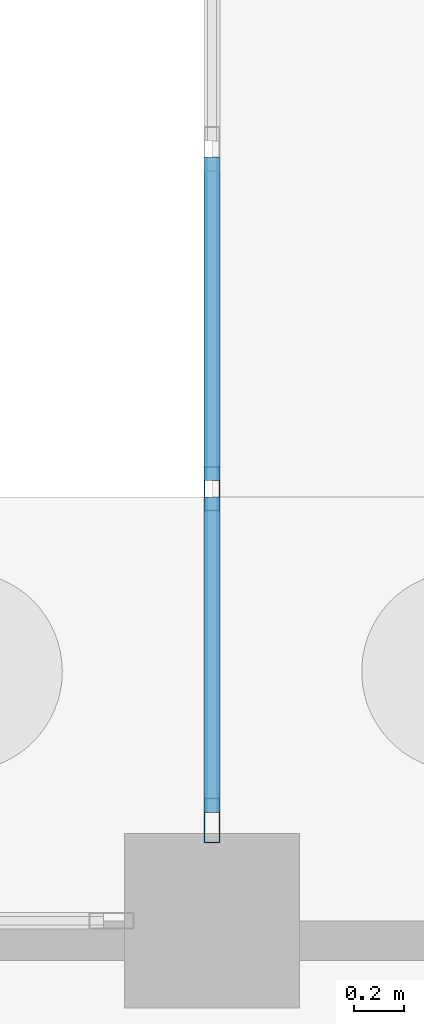
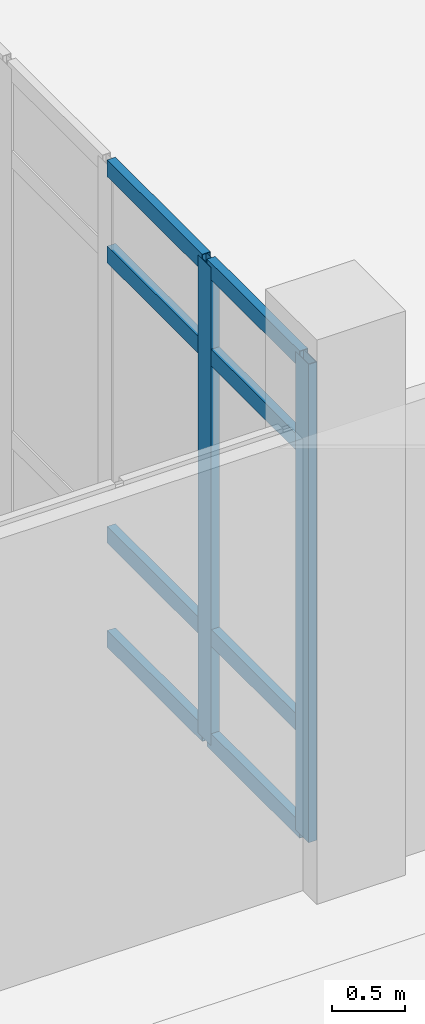
# One storey, part 40 of 173: 10 members, 1 element without a shape of its own.
"""IFC4 building model written with IfcOpenShell, lengths in metres."""

import ifcopenshell
import ifcopenshell.guid

model = None  # the IFC model being written
_history = None  # IfcOwnerHistory: only IFC2X3 demands one
_inside = {}  # id of a spatial element -> (the spatial element, [elements in it])
_under = {}  # id of a project, library or spatial element -> (it, [spatial elements below it])
_declared = {}  # id of a project -> (the project, [libraries it declares])
_typed = {}  # id of a type object -> (the type object, [elements of that type])
_made_of = {}  # id of a material, layer set ... -> (it, [elements and type objects made of it])


def new_model(schema):
    """Start an empty IFC model of exactly this schema.

    Asked for "IFC4X3", IfcOpenShell would pick the latest addendum, in which some entities
    have other attributes; the version numbers below select the first issue.
    IFC2X3 requires an IfcOwnerHistory on every rooted entity: one is made here for all.
    """
    global model, _history
    if schema == "IFC4X3":
        model = ifcopenshell.file(schema_version=(4, 3, 0, 0))
    else:
        model = ifcopenshell.file(schema=schema)
    _inside.clear()
    _under.clear()
    _declared.clear()
    _typed.clear()
    _made_of.clear()
    _history = None
    if model.schema == "IFC2X3":
        org = make("IfcOrganization", Name="unknown")
        user = make(
            "IfcPersonAndOrganization",
            ThePerson=make("IfcPerson", FamilyName="unknown"),
            TheOrganization=org,
        )
        app = make(
            "IfcApplication",
            ApplicationDeveloper=org,
            Version="unknown",
            ApplicationFullName="unknown",
            ApplicationIdentifier="unknown",
        )
        _history = make(
            "IfcOwnerHistory",
            OwningUser=user,
            OwningApplication=app,
            ChangeAction="ADDED",
            CreationDate=0,
        )
    return model


def make(cls, **values):
    """One entity of the class cls with the attributes given. An attribute that is None is left unset."""
    return model.create_entity(
        cls, **{name: value for name, value in values.items() if value is not None}
    )


def rooted(cls, **values):
    """An entity with a GlobalId (a new one), such as an element, a storey or a relation."""
    return make(cls, GlobalId=ifcopenshell.guid.new(), OwnerHistory=_history, **values)


def si_unit(unit_type, name, prefix=None):
    """IfcSIUnit, for example si_unit("LENGTHUNIT", "METRE", prefix="MILLI")."""
    return make("IfcSIUnit", UnitType=unit_type, Prefix=prefix, Name=name)


def assignment(units):
    """IfcUnitAssignment: the units of a project."""
    return None if units is None else make("IfcUnitAssignment", Units=units)


def point(xyz):
    """IfcCartesianPoint."""
    return None if xyz is None else make("IfcCartesianPoint", Coordinates=xyz)


def direction(xyz):
    """IfcDirection."""
    return None if xyz is None else make("IfcDirection", DirectionRatios=xyz)


def frame(location, z_axis=None, x_axis=None):
    """IfcAxis2Placement3D, a coordinate frame: its origin and axes. An axis left out is left unset."""
    return make(
        "IfcAxis2Placement3D",
        Location=point(location),
        Axis=direction(z_axis),
        RefDirection=direction(x_axis),
    )


def frame_2d(location, x_axis=None):
    """IfcAxis2Placement2D, a coordinate frame in the plane: its origin and x axis."""
    return make(
        "IfcAxis2Placement2D", Location=point(location), RefDirection=direction(x_axis)
    )


def origin():
    """The frame at (0, 0, 0) with its axes left unset."""
    return frame((0.0, 0.0, 0.0))


def origin_2d():
    """The frame at (0, 0) in the plane with its x axis left unset."""
    return frame_2d((0.0, 0.0))


def place(relative_to, where):
    """IfcLocalPlacement: puts the frame where relative to a parent placement (None: the world)."""
    return make(
        "IfcLocalPlacement", PlacementRelTo=relative_to, RelativePlacement=where
    )


def context(
    kind, dimensions, precision=None, world=None, true_north=None, identifier=None
):
    """IfcGeometricRepresentationContext, for example the 3D "Model" context."""
    return make(
        "IfcGeometricRepresentationContext",
        ContextIdentifier=identifier,
        ContextType=kind,
        CoordinateSpaceDimension=dimensions,
        Precision=precision,
        WorldCoordinateSystem=world,
        TrueNorth=true_north,
    )


def subcontext(parent, identifier, kind, view, scale=None):
    """IfcGeometricRepresentationSubContext, for example "Body" below "Model"."""
    return make(
        "IfcGeometricRepresentationSubContext",
        ContextIdentifier=identifier,
        ContextType=kind,
        ParentContext=parent,
        TargetScale=scale,
        TargetView=view,
    )


def project(units=None, contexts=None):
    """IfcProject with its units and contexts."""
    return rooted(
        "IfcProject",
        Name="project",
        RepresentationContexts=contexts,
        UnitsInContext=assignment(units),
    )


def spatial(cls, under=None, at=None, **own):
    """A site, building, storey or space (cls), placed at a placement, below another one or the project."""
    s = rooted(cls, ObjectPlacement=at, **own)
    if under is not None:
        _under.setdefault(under.id(), (under, []))[1].append(s)
    return s


def profile(cls, at=None, kind="AREA", **sizes):
    """A parametric profile (cls). Its sizes go by their IFC names, for example OverallWidth=200.0."""
    return make(cls, ProfileType=kind, Position=at, **sizes)


def hollow_rectangle(**sizes):
    """IfcRectangleHollowProfileDef."""
    return profile("IfcRectangleHollowProfileDef", **sizes)


def extrude(swept, where, along, depth):
    """IfcExtrudedAreaSolid: the profile swept, set in the frame where, extruded along a direction by depth."""
    return make(
        "IfcExtrudedAreaSolid",
        SweptArea=swept,
        Position=where,
        ExtrudedDirection=direction(along),
        Depth=depth,
    )


def shape(context_of_items, identifier, shape_type, items):
    """IfcShapeRepresentation: the items that make up one representation, for example the "Body"."""
    return make(
        "IfcShapeRepresentation",
        ContextOfItems=context_of_items,
        RepresentationIdentifier=identifier,
        RepresentationType=shape_type,
        Items=items,
    )


def material(Name=None, Category=None):
    """IfcMaterial."""
    return make("IfcMaterial", Name=Name, Category=Category)


def layer(
    of_material, thickness, ventilated=None, Name=None, Category=None, Priority=None
):
    """IfcMaterialLayer: one layer of a wall or slab, of a material (None: an air gap)."""
    return make(
        "IfcMaterialLayer",
        Material=of_material,
        LayerThickness=thickness,
        IsVentilated=ventilated,
        Name=Name,
        Category=Category,
        Priority=Priority,
    )


def layer_set(layers, Name=None):
    """IfcMaterialLayerSet."""
    return make("IfcMaterialLayerSet", MaterialLayers=layers, LayerSetName=Name)


def material_profile(
    of_material, cross_section, Name=None, Category=None, Priority=None
):
    """IfcMaterialProfile: a cross section and its material."""
    return make(
        "IfcMaterialProfile",
        Name=Name,
        Material=of_material,
        Profile=cross_section,
        Priority=Priority,
        Category=Category,
    )


def profile_set(profiles, Name=None, composite=None):
    """IfcMaterialProfileSet."""
    return make(
        "IfcMaterialProfileSet",
        Name=Name,
        MaterialProfiles=profiles,
        CompositeProfile=composite,
    )


def made_of(thing, what):
    """Note that an element or type object is made of a material, layer set ...; save() writes the relation."""
    if what is not None:
        _made_of.setdefault(what.id(), (what, []))[1].append(thing)
    return thing


def type_object(cls, material=None, **own):
    """A type object (cls), such as IfcWallType, which elements share."""
    return made_of(rooted(cls, **own), material)


def element(
    cls,
    number,
    at=None,
    inside=None,
    cuts=None,
    type_object=None,
    material=None,
    context=None,
    identifier="Body",
    shape_type=None,
    held_by="IfcProductDefinitionShape",
    body=None,
    shapes=None,
    **own,
):
    """One element of the class cls, such as IfcWall. Its Tag is "e" and its number.

    at: its placement. inside: the storey or other place that contains it. cuts: it is an
    opening in that element (IfcRelVoidsElement). A single representation is given by context,
    identifier, shape_type and body (its items); several are given by shapes. held_by: the class
    of the entity that holds the representations. save() writes the other relations.
    """
    e = rooted(cls, Tag="e%d" % number, ObjectPlacement=at, **own)
    if body is not None:
        shapes = [shape(context, identifier, shape_type, body)]
    if shapes is not None:
        e.Representation = make(held_by, Representations=shapes)
    if inside is not None:
        _inside.setdefault(inside.id(), (inside, []))[1].append(e)
    if cuts is not None:
        rooted(
            "IfcRelVoidsElement", RelatingBuildingElement=cuts, RelatedOpeningElement=e
        )
    if type_object is not None:
        _typed.setdefault(type_object.id(), (type_object, []))[1].append(e)
    return made_of(e, material)


def aggregate(whole, parts):
    """IfcRelAggregates: a whole, such as a stair, and the parts it consists of."""
    return rooted("IfcRelAggregates", RelatingObject=whole, RelatedObjects=parts)


def save(model, path):
    """Write the relations noted so far, then the file.

    IfcRelAggregates (storeys below a building ...), IfcRelContainedInSpatialStructure (elements
    in a storey), IfcRelDefinesByType, IfcRelAssociatesMaterial and IfcRelDeclares: one each for
    every whole, place, type object, material and project.
    """
    for whole, parts in _under.values():
        aggregate(whole, parts)
    for where, things in _inside.values():
        rooted(
            "IfcRelContainedInSpatialStructure",
            RelatedElements=things,
            RelatingStructure=where,
        )
    for kind, things in _typed.values():
        rooted("IfcRelDefinesByType", RelatedObjects=things, RelatingType=kind)
    for what, things in _made_of.values():
        rooted("IfcRelAssociatesMaterial", RelatedObjects=things, RelatingMaterial=what)
    for by, libraries in _declared.values():
        rooted("IfcRelDeclares", RelatingContext=by, RelatedDefinitions=libraries)
    model.write(path)


model = new_model("IFC4")

# Units and contexts
model_context = context("Model", 3, precision=1e-05, world=origin(), true_north=direction((0.0, 1.0)))
body_context = subcontext(model_context, "Body", "Model", "MODEL_VIEW")
ifc_project = project(units=[si_unit("LENGTHUNIT", "METRE"), si_unit("AREAUNIT", "SQUARE_METRE"), si_unit("VOLUMEUNIT", "CUBIC_METRE"), si_unit("PLANEANGLEUNIT", "RADIAN"), si_unit("MASSUNIT", "GRAM", prefix="KILO")], contexts=[model_context])

# Site, building, storey
site_placement = place(None, origin())
site = spatial("IfcSite", under=ifc_project, at=site_placement, CompositionType="ELEMENT")
building_placement = place(site_placement, origin())
building = spatial("IfcBuilding", under=site, at=building_placement, Name="Mawjan Specialist Oncology Clinic", CompositionType="ELEMENT")
storey_placement = place(building_placement, origin())
storey = spatial("IfcBuildingStorey", under=building, at=storey_placement, Name="L00", CompositionType="ELEMENT", Elevation=0.0)

# Curtain wall, members
ifc_material_1 = material(Name="Unitised spectrally selective aluminium curtain wall", Category="aluminium")
ifc_layer = layer(ifc_material_1, 0.179931640625, Name="Unitised spectrally selective aluminium curtain wall", Category="aluminium")
ifc_layer_set = layer_set([ifc_layer], Name="Unitised spectrally selective aluminium curtain wall")
curtain_wall_type = type_object("IfcCurtainWallType", Name="CW-01", PredefinedType="NOTDEFINED", material=ifc_layer_set)
curtain_wall_placement = place(storey_placement, origin())
curtain_wall = element("IfcCurtainWall", 1, at=curtain_wall_placement, inside=storey, type_object=curtain_wall_type, Name="L00 Unitised Curtain Wall CW-L00-058", PredefinedType="NOTDEFINED")
ifc_material_2 = material(Name="Thermally broken aluminium 6063-T6", Category="aluminium")
ifc_material_profile_1 = material_profile(ifc_material_2, hollow_rectangle(XDim=0.06494140625, YDim=0.179931640625, WallThickness=0.00390625, at=origin_2d()), Name="ALU MULLION 180x65x4", Category="aluminium")
ifc_profile_set_1 = profile_set([ifc_material_profile_1], Name="Thermally broken aluminium 6063-T6")
member_type_1 = type_object("IfcMemberType", Name="CW-M180", PredefinedType="MULLION", material=ifc_profile_set_1)
member_1_placement = place(storey_placement, frame((30.0, 46.202392578125, 0.0), z_axis=(0.0, 0.0, 1.0), x_axis=(-1.0, 0.0, 0.0)))
member_1 = element("IfcMember", 2, at=member_1_placement, type_object=member_type_1, Name="CW-01 mullion 1", PredefinedType="MULLION", context=body_context, shape_type="SweptSolid", body=[
    extrude(hollow_rectangle(XDim=0.06494140625, YDim=0.179931640625, WallThickness=0.00390625, at=origin_2d()), origin(), (0.0, 0.0, 1.0), 3.985107421875),
])
member_2_placement = place(storey_placement, frame((30.0, 47.531982421875, 0.0), z_axis=(0.0, 0.0, 1.0), x_axis=(-1.0, 0.0, 0.0)))
member_2 = element("IfcMember", 3, at=member_2_placement, type_object=member_type_1, Name="CW-01 mullion 2", PredefinedType="MULLION", context=body_context, shape_type="SweptSolid", body=[
    extrude(hollow_rectangle(XDim=0.06494140625, YDim=0.179931640625, WallThickness=0.00390625, at=origin_2d()), origin(), (0.0, 0.0, 1.0), 3.985107421875),
])
ifc_material_3 = material(Name="Thermally broken aluminium 6063-T6", Category="aluminium")
ifc_material_profile_2 = material_profile(ifc_material_3, hollow_rectangle(XDim=0.06494140625, YDim=0.139892578125, WallThickness=0.00390625, at=origin_2d()), Name="ALU TRANSOM 140x65x4", Category="aluminium")
ifc_profile_set_2 = profile_set([ifc_material_profile_2], Name="Thermally broken aluminium 6063-T6")
member_type_2 = type_object("IfcMemberType", Name="CW-T140", PredefinedType="USERDEFINED", material=ifc_profile_set_2)
member_3_placement = place(storey_placement, frame((30.0, 46.235107421875, 0.032470703125), z_axis=(0.0, 1.0, 0.0), x_axis=(-1.0, 0.0, 0.0)))
member_3 = element("IfcMember", 4, at=member_3_placement, type_object=member_type_2, Name="CW-01 transom 1.1", ObjectType="TRANSOM", PredefinedType="USERDEFINED", context=body_context, shape_type="SweptSolid", body=[
    extrude(hollow_rectangle(XDim=0.06494140625, YDim=0.139892578125, WallThickness=0.00390625, at=origin_2d()), origin(), (0.0, 0.0, 1.0), 1.264404296875),
])
member_4_placement = place(storey_placement, frame((30.0, 46.235107421875, 0.89990234375), z_axis=(0.0, 1.0, 0.0), x_axis=(-1.0, 0.0, 0.0)))
member_4 = element("IfcMember", 5, at=member_4_placement, type_object=member_type_2, Name="CW-01 transom 1.2", ObjectType="TRANSOM", PredefinedType="USERDEFINED", context=body_context, shape_type="SweptSolid", body=[
    extrude(hollow_rectangle(XDim=0.06494140625, YDim=0.139892578125, WallThickness=0.00390625, at=origin_2d()), origin(), (0.0, 0.0, 1.0), 1.264404296875),
])
member_5_placement = place(storey_placement, frame((30.0, 46.235107421875, 3.235107421875), z_axis=(0.0, 1.0, 0.0), x_axis=(-1.0, 0.0, 0.0)))
member_5 = element("IfcMember", 6, at=member_5_placement, type_object=member_type_2, Name="CW-01 transom 1.3", ObjectType="TRANSOM", PredefinedType="USERDEFINED", context=body_context, shape_type="SweptSolid", body=[
    extrude(hollow_rectangle(XDim=0.06494140625, YDim=0.139892578125, WallThickness=0.00390625, at=origin_2d()), origin(), (0.0, 0.0, 1.0), 1.264404296875),
])
member_6_placement = place(storey_placement, frame((30.0, 46.235107421875, 3.952392578125), z_axis=(0.0, 1.0, 0.0), x_axis=(-1.0, 0.0, 0.0)))
member_6 = element("IfcMember", 7, at=member_6_placement, type_object=member_type_2, Name="CW-01 transom 1.4", ObjectType="TRANSOM", PredefinedType="USERDEFINED", context=body_context, shape_type="SweptSolid", body=[
    extrude(hollow_rectangle(XDim=0.06494140625, YDim=0.139892578125, WallThickness=0.00390625, at=origin_2d()), origin(), (0.0, 0.0, 1.0), 1.264404296875),
])
member_7_placement = place(storey_placement, frame((30.0, 47.564453125, 0.032470703125), z_axis=(0.0, 1.0, 0.0), x_axis=(-1.0, 0.0, 0.0)))
member_7 = element("IfcMember", 8, at=member_7_placement, type_object=member_type_2, Name="CW-01 transom 2.1", ObjectType="TRANSOM", PredefinedType="USERDEFINED", context=body_context, shape_type="SweptSolid", body=[
    extrude(hollow_rectangle(XDim=0.06494140625, YDim=0.139892578125, WallThickness=0.00390625, at=origin_2d()), origin(), (0.0, 0.0, 1.0), 1.297119140625),
])
member_8_placement = place(storey_placement, frame((30.0, 47.564453125, 0.89990234375), z_axis=(0.0, 1.0, 0.0), x_axis=(-1.0, 0.0, 0.0)))
member_8 = element("IfcMember", 9, at=member_8_placement, type_object=member_type_2, Name="CW-01 transom 2.2", ObjectType="TRANSOM", PredefinedType="USERDEFINED", context=body_context, shape_type="SweptSolid", body=[
    extrude(hollow_rectangle(XDim=0.06494140625, YDim=0.139892578125, WallThickness=0.00390625, at=origin_2d()), origin(), (0.0, 0.0, 1.0), 1.297119140625),
])
member_9_placement = place(storey_placement, frame((30.0, 47.564453125, 3.235107421875), z_axis=(0.0, 1.0, 0.0), x_axis=(-1.0, 0.0, 0.0)))
member_9 = element("IfcMember", 10, at=member_9_placement, type_object=member_type_2, Name="CW-01 transom 2.3", ObjectType="TRANSOM", PredefinedType="USERDEFINED", context=body_context, shape_type="SweptSolid", body=[
    extrude(hollow_rectangle(XDim=0.06494140625, YDim=0.139892578125, WallThickness=0.00390625, at=origin_2d()), origin(), (0.0, 0.0, 1.0), 1.297119140625),
])
member_10_placement = place(storey_placement, frame((30.0, 47.564453125, 3.952392578125), z_axis=(0.0, 1.0, 0.0), x_axis=(-1.0, 0.0, 0.0)))
member_10 = element("IfcMember", 11, at=member_10_placement, type_object=member_type_2, Name="CW-01 transom 2.4", ObjectType="TRANSOM", PredefinedType="USERDEFINED", context=body_context, shape_type="SweptSolid", body=[
    extrude(hollow_rectangle(XDim=0.06494140625, YDim=0.139892578125, WallThickness=0.00390625, at=origin_2d()), origin(), (0.0, 0.0, 1.0), 1.297119140625),
])
aggregate(curtain_wall, [member_1, member_2, member_3, member_4, member_5, member_6, member_7, member_8, member_9, member_10])

save(model, "model.ifc")
